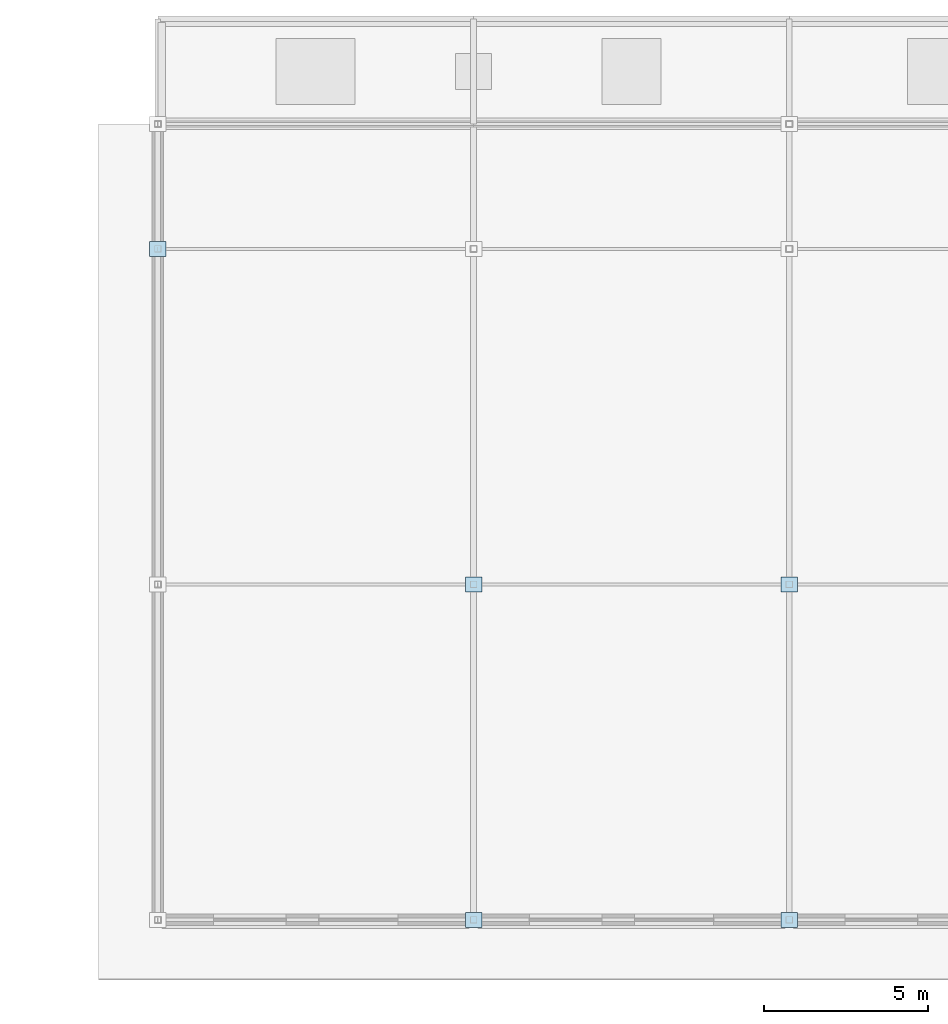
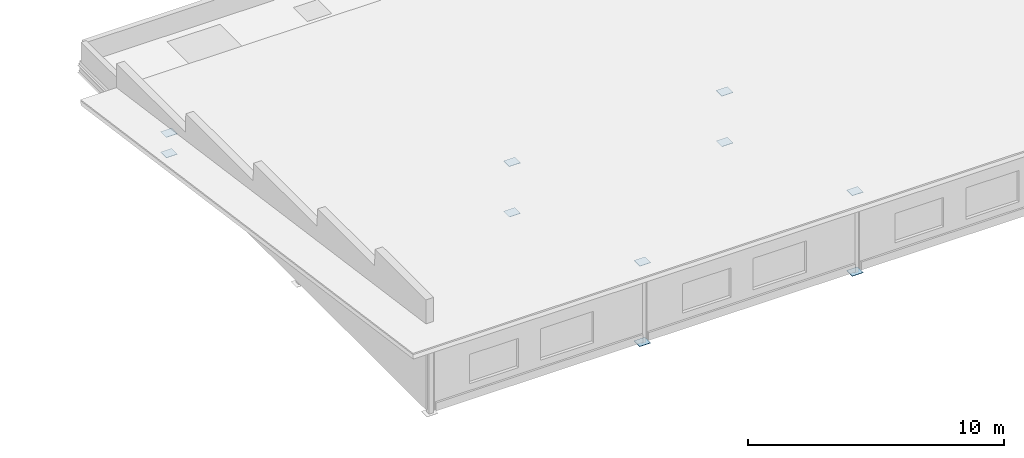
# One storey, part 53 of 70: 10 plates.
"""IFC4 building model written with IfcOpenShell, lengths in metres."""

from ifc_helpers import new_model, si_unit, direction, frame, origin, origin_2d, place, context, subcontext, project, spatial, rectangle, extrude, material, layer, layer_set, type_object, element, save


model = new_model("IFC4")

# Units and contexts
model_context = context("Model", 3, precision=1e-05, world=origin(), true_north=direction((0.0, 1.0)))
body_context = subcontext(model_context, "Body", "Model", "MODEL_VIEW")
ifc_project = project(units=[si_unit("LENGTHUNIT", "METRE"), si_unit("AREAUNIT", "SQUARE_METRE"), si_unit("VOLUMEUNIT", "CUBIC_METRE"), si_unit("PLANEANGLEUNIT", "RADIAN"), si_unit("MASSUNIT", "GRAM", prefix="KILO")], contexts=[model_context])

# Site, building, storey
site_placement = place(None, origin())
site = spatial("IfcSite", under=ifc_project, at=site_placement, CompositionType="ELEMENT")
building_placement = place(site_placement, origin())
building = spatial("IfcBuilding", under=site, at=building_placement, Name="Vondelvale Polytechnic", CompositionType="ELEMENT")
storey_placement = place(building_placement, frame((0.0, 0.0, 22.199951171875)))
storey = spatial("IfcBuildingStorey", under=building, at=storey_placement, Name="L05", CompositionType="ELEMENT", Elevation=22.199951171875)

# Plates
ifc_material = material(Name="Steel Grade 350 (fy = 340 MPa)", Category="steel")
ifc_layer = layer(ifc_material, 0.01611328125)
ifc_layer_set = layer_set([ifc_layer], Name="PLATE-GUSSET-16")
plate_type = type_object("IfcPlateType", Name="PLATE-GUSSET-16", PredefinedType="USERDEFINED", material=ifc_layer_set)
for number, where, z_axis, x_axis, name in (
    (1, (134.39990234375, 20.39990234375, -0.18798828125), (0.0, 0.0, 1.0), (1.0, 0.0, 0.0), "Lecture roof post plate"),
    (2, (134.39990234375, 20.39990234375, 0.787353515625), (0.0, 0.0, 1.0), (1.0, 0.0, 0.0), "Lecture roof post plate"),
    (3, (144.0, 0.0, -0.18798828125), (0.0, 0.0, 1.0), (1.0, 0.0, 0.0), "Lecture roof post plate"),
    (4, (144.0, 0.0, 3.651123046875), (0.0, 0.0, 1.0), (1.0, 0.0, 0.0), "Lecture roof post plate"),
    (5, (144.0, 10.199951171875, -0.18798828125), (0.0, 0.0, 1.0), (1.0, 0.0, 0.0), "Lecture roof post plate"),
    (6, (144.0, 10.199951171875, 2.21923828125), (0.0, 0.0, 1.0), (1.0, 0.0, 0.0), "Lecture roof post plate"),
    (7, (153.60009765625, 0.0, -0.18798828125), (0.0, 0.0, 1.0), (1.0, 0.0, 0.0), "Lecture roof post plate"),
    (8, (153.60009765625, 0.0, 3.651123046875), (0.0, 0.0, 1.0), (1.0, 0.0, 0.0), "Lecture roof post plate"),
    (9, (153.60009765625, 10.199951171875, -0.18798828125), (0.0, 0.0, 1.0), (1.0, 0.0, 0.0), "Lecture roof post plate"),
    (10, (153.60009765625, 10.199951171875, 2.21923828125), (0.0, 0.0, 1.0), (1.0, 0.0, 0.0), "Lecture roof post plate"),
):
    element("IfcPlate", number, at=place(storey_placement, frame(where, z_axis=z_axis, x_axis=x_axis)), inside=storey, type_object=plate_type, Name=name, ObjectType="GUSSET_PLATE", PredefinedType="USERDEFINED", context=body_context, shape_type="SweptSolid", body=[
        extrude(rectangle(XDim=0.5, YDim=0.449951171875, at=origin_2d()), origin(), (0.0, 0.0, 1.0), 0.01611328125),
    ])

save(model, "model.ifc")
